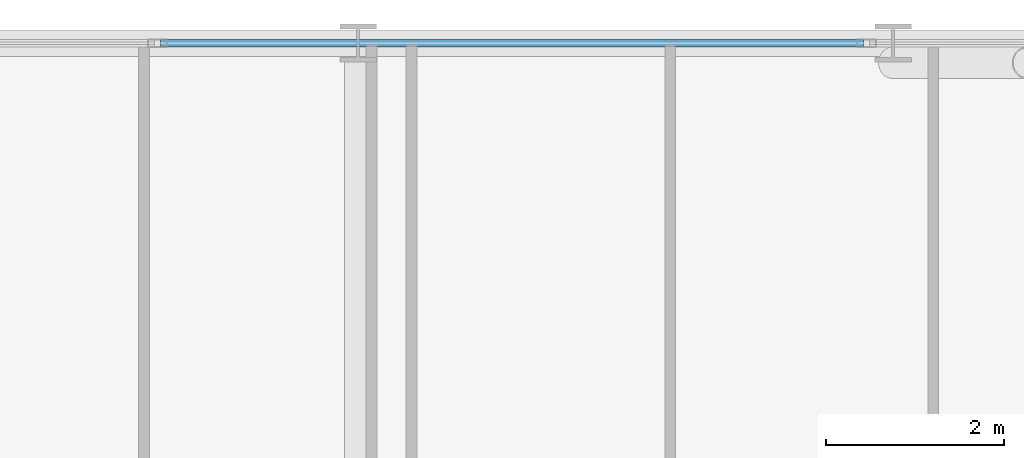
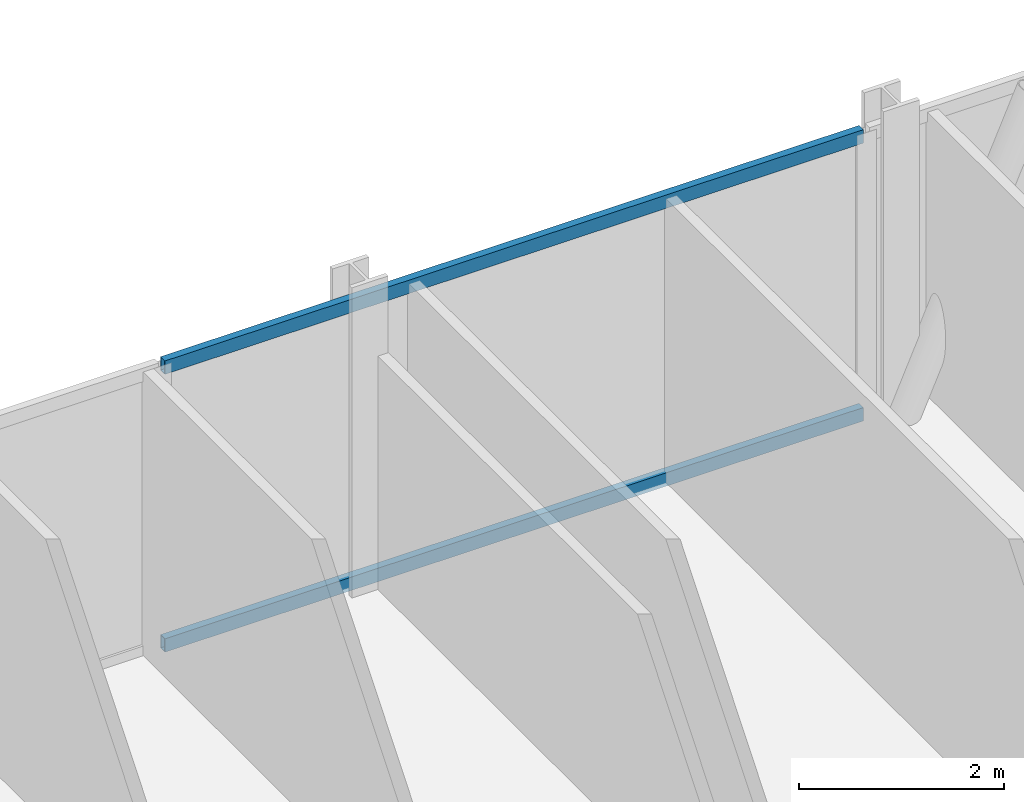
# One storey, part 14 of 34: 2 members, 1 element without a shape of its own.
"""IFC4 building model written with IfcOpenShell, lengths in metres."""

import ifcopenshell
import ifcopenshell.guid

model = None  # the IFC model being written
_history = None  # IfcOwnerHistory: only IFC2X3 demands one
_inside = {}  # id of a spatial element -> (the spatial element, [elements in it])
_under = {}  # id of a project, library or spatial element -> (it, [spatial elements below it])
_declared = {}  # id of a project -> (the project, [libraries it declares])
_typed = {}  # id of a type object -> (the type object, [elements of that type])
_made_of = {}  # id of a material, layer set ... -> (it, [elements and type objects made of it])


def new_model(schema):
    """Start an empty IFC model of exactly this schema.

    Asked for "IFC4X3", IfcOpenShell would pick the latest addendum, in which some entities
    have other attributes; the version numbers below select the first issue.
    IFC2X3 requires an IfcOwnerHistory on every rooted entity: one is made here for all.
    """
    global model, _history
    if schema == "IFC4X3":
        model = ifcopenshell.file(schema_version=(4, 3, 0, 0))
    else:
        model = ifcopenshell.file(schema=schema)
    _inside.clear()
    _under.clear()
    _declared.clear()
    _typed.clear()
    _made_of.clear()
    _history = None
    if model.schema == "IFC2X3":
        org = make("IfcOrganization", Name="unknown")
        user = make(
            "IfcPersonAndOrganization",
            ThePerson=make("IfcPerson", FamilyName="unknown"),
            TheOrganization=org,
        )
        app = make(
            "IfcApplication",
            ApplicationDeveloper=org,
            Version="unknown",
            ApplicationFullName="unknown",
            ApplicationIdentifier="unknown",
        )
        _history = make(
            "IfcOwnerHistory",
            OwningUser=user,
            OwningApplication=app,
            ChangeAction="ADDED",
            CreationDate=0,
        )
    return model


def make(cls, **values):
    """One entity of the class cls with the attributes given. An attribute that is None is left unset."""
    return model.create_entity(
        cls, **{name: value for name, value in values.items() if value is not None}
    )


def rooted(cls, **values):
    """An entity with a GlobalId (a new one), such as an element, a storey or a relation."""
    return make(cls, GlobalId=ifcopenshell.guid.new(), OwnerHistory=_history, **values)


def si_unit(unit_type, name, prefix=None):
    """IfcSIUnit, for example si_unit("LENGTHUNIT", "METRE", prefix="MILLI")."""
    return make("IfcSIUnit", UnitType=unit_type, Prefix=prefix, Name=name)


def assignment(units):
    """IfcUnitAssignment: the units of a project."""
    return None if units is None else make("IfcUnitAssignment", Units=units)


def point(xyz):
    """IfcCartesianPoint."""
    return None if xyz is None else make("IfcCartesianPoint", Coordinates=xyz)


def direction(xyz):
    """IfcDirection."""
    return None if xyz is None else make("IfcDirection", DirectionRatios=xyz)


def frame(location, z_axis=None, x_axis=None):
    """IfcAxis2Placement3D, a coordinate frame: its origin and axes. An axis left out is left unset."""
    return make(
        "IfcAxis2Placement3D",
        Location=point(location),
        Axis=direction(z_axis),
        RefDirection=direction(x_axis),
    )


def frame_2d(location, x_axis=None):
    """IfcAxis2Placement2D, a coordinate frame in the plane: its origin and x axis."""
    return make(
        "IfcAxis2Placement2D", Location=point(location), RefDirection=direction(x_axis)
    )


def origin():
    """The frame at (0, 0, 0) with its axes left unset."""
    return frame((0.0, 0.0, 0.0))


def origin_2d():
    """The frame at (0, 0) in the plane with its x axis left unset."""
    return frame_2d((0.0, 0.0))


def place(relative_to, where):
    """IfcLocalPlacement: puts the frame where relative to a parent placement (None: the world)."""
    return make(
        "IfcLocalPlacement", PlacementRelTo=relative_to, RelativePlacement=where
    )


def context(
    kind, dimensions, precision=None, world=None, true_north=None, identifier=None
):
    """IfcGeometricRepresentationContext, for example the 3D "Model" context."""
    return make(
        "IfcGeometricRepresentationContext",
        ContextIdentifier=identifier,
        ContextType=kind,
        CoordinateSpaceDimension=dimensions,
        Precision=precision,
        WorldCoordinateSystem=world,
        TrueNorth=true_north,
    )


def subcontext(parent, identifier, kind, view, scale=None):
    """IfcGeometricRepresentationSubContext, for example "Body" below "Model"."""
    return make(
        "IfcGeometricRepresentationSubContext",
        ContextIdentifier=identifier,
        ContextType=kind,
        ParentContext=parent,
        TargetScale=scale,
        TargetView=view,
    )


def project(units=None, contexts=None):
    """IfcProject with its units and contexts."""
    return rooted(
        "IfcProject",
        Name="project",
        RepresentationContexts=contexts,
        UnitsInContext=assignment(units),
    )


def spatial(cls, under=None, at=None, **own):
    """A site, building, storey or space (cls), placed at a placement, below another one or the project."""
    s = rooted(cls, ObjectPlacement=at, **own)
    if under is not None:
        _under.setdefault(under.id(), (under, []))[1].append(s)
    return s


def profile(cls, at=None, kind="AREA", **sizes):
    """A parametric profile (cls). Its sizes go by their IFC names, for example OverallWidth=200.0."""
    return make(cls, ProfileType=kind, Position=at, **sizes)


def hollow_rectangle(**sizes):
    """IfcRectangleHollowProfileDef."""
    return profile("IfcRectangleHollowProfileDef", **sizes)


def extrude(swept, where, along, depth):
    """IfcExtrudedAreaSolid: the profile swept, set in the frame where, extruded along a direction by depth."""
    return make(
        "IfcExtrudedAreaSolid",
        SweptArea=swept,
        Position=where,
        ExtrudedDirection=direction(along),
        Depth=depth,
    )


def shape(context_of_items, identifier, shape_type, items):
    """IfcShapeRepresentation: the items that make up one representation, for example the "Body"."""
    return make(
        "IfcShapeRepresentation",
        ContextOfItems=context_of_items,
        RepresentationIdentifier=identifier,
        RepresentationType=shape_type,
        Items=items,
    )


def material(Name=None, Category=None):
    """IfcMaterial."""
    return make("IfcMaterial", Name=Name, Category=Category)


def layer(
    of_material, thickness, ventilated=None, Name=None, Category=None, Priority=None
):
    """IfcMaterialLayer: one layer of a wall or slab, of a material (None: an air gap)."""
    return make(
        "IfcMaterialLayer",
        Material=of_material,
        LayerThickness=thickness,
        IsVentilated=ventilated,
        Name=Name,
        Category=Category,
        Priority=Priority,
    )


def layer_set(layers, Name=None):
    """IfcMaterialLayerSet."""
    return make("IfcMaterialLayerSet", MaterialLayers=layers, LayerSetName=Name)


def material_profile(
    of_material, cross_section, Name=None, Category=None, Priority=None
):
    """IfcMaterialProfile: a cross section and its material."""
    return make(
        "IfcMaterialProfile",
        Name=Name,
        Material=of_material,
        Profile=cross_section,
        Priority=Priority,
        Category=Category,
    )


def profile_set(profiles, Name=None, composite=None):
    """IfcMaterialProfileSet."""
    return make(
        "IfcMaterialProfileSet",
        Name=Name,
        MaterialProfiles=profiles,
        CompositeProfile=composite,
    )


def made_of(thing, what):
    """Note that an element or type object is made of a material, layer set ...; save() writes the relation."""
    if what is not None:
        _made_of.setdefault(what.id(), (what, []))[1].append(thing)
    return thing


def type_object(cls, material=None, **own):
    """A type object (cls), such as IfcWallType, which elements share."""
    return made_of(rooted(cls, **own), material)


def element(
    cls,
    number,
    at=None,
    inside=None,
    cuts=None,
    type_object=None,
    material=None,
    context=None,
    identifier="Body",
    shape_type=None,
    held_by="IfcProductDefinitionShape",
    body=None,
    shapes=None,
    **own,
):
    """One element of the class cls, such as IfcWall. Its Tag is "e" and its number.

    at: its placement. inside: the storey or other place that contains it. cuts: it is an
    opening in that element (IfcRelVoidsElement). A single representation is given by context,
    identifier, shape_type and body (its items); several are given by shapes. held_by: the class
    of the entity that holds the representations. save() writes the other relations.
    """
    e = rooted(cls, Tag="e%d" % number, ObjectPlacement=at, **own)
    if body is not None:
        shapes = [shape(context, identifier, shape_type, body)]
    if shapes is not None:
        e.Representation = make(held_by, Representations=shapes)
    if inside is not None:
        _inside.setdefault(inside.id(), (inside, []))[1].append(e)
    if cuts is not None:
        rooted(
            "IfcRelVoidsElement", RelatingBuildingElement=cuts, RelatedOpeningElement=e
        )
    if type_object is not None:
        _typed.setdefault(type_object.id(), (type_object, []))[1].append(e)
    return made_of(e, material)


def aggregate(whole, parts):
    """IfcRelAggregates: a whole, such as a stair, and the parts it consists of."""
    return rooted("IfcRelAggregates", RelatingObject=whole, RelatedObjects=parts)


def save(model, path):
    """Write the relations noted so far, then the file.

    IfcRelAggregates (storeys below a building ...), IfcRelContainedInSpatialStructure (elements
    in a storey), IfcRelDefinesByType, IfcRelAssociatesMaterial and IfcRelDeclares: one each for
    every whole, place, type object, material and project.
    """
    for whole, parts in _under.values():
        aggregate(whole, parts)
    for where, things in _inside.values():
        rooted(
            "IfcRelContainedInSpatialStructure",
            RelatedElements=things,
            RelatingStructure=where,
        )
    for kind, things in _typed.values():
        rooted("IfcRelDefinesByType", RelatedObjects=things, RelatingType=kind)
    for what, things in _made_of.values():
        rooted("IfcRelAssociatesMaterial", RelatedObjects=things, RelatingMaterial=what)
    for by, libraries in _declared.values():
        rooted("IfcRelDeclares", RelatingContext=by, RelatedDefinitions=libraries)
    model.write(path)


model = new_model("IFC4")

# Units and contexts
model_context = context("Model", 3, precision=1e-05, world=origin(), true_north=direction((0.0, 1.0)))
body_context = subcontext(model_context, "Body", "Model", "MODEL_VIEW")
ifc_project = project(units=[si_unit("LENGTHUNIT", "METRE"), si_unit("AREAUNIT", "SQUARE_METRE"), si_unit("VOLUMEUNIT", "CUBIC_METRE"), si_unit("PLANEANGLEUNIT", "RADIAN"), si_unit("MASSUNIT", "GRAM", prefix="KILO")], contexts=[model_context])

# Site, building, storey
site_placement = place(None, origin())
site = spatial("IfcSite", under=ifc_project, at=site_placement, CompositionType="ELEMENT")
building_placement = place(site_placement, origin())
building = spatial("IfcBuilding", under=site, at=building_placement, Name="Keshet Zoharim Tower", CompositionType="ELEMENT")
storey_placement = place(building_placement, frame((0.0, 0.0, 31.39990234375)))
storey = spatial("IfcBuildingStorey", under=building, at=storey_placement, Name="L06", CompositionType="ELEMENT", Elevation=31.39990234375)

# Curtain wall, members
ifc_material = material(Name="Aluminium 6063-T6", Category="aluminium")
ifc_layer = layer(ifc_material, 0.169921875)
ifc_layer_set = layer_set([ifc_layer], Name="Aluminium 6063-T6")
curtain_wall_type = type_object("IfcCurtainWallType", Name="CW-SYS-02", PredefinedType="NOTDEFINED", material=ifc_layer_set)
curtain_wall_placement = place(storey_placement, origin())
curtain_wall = element("IfcCurtainWall", 1, at=curtain_wall_placement, inside=storey, type_object=curtain_wall_type, Name="L06 Unitised Curtain Wall 07 Part 3", PredefinedType="NOTDEFINED")
ifc_material_profile = material_profile(ifc_material, hollow_rectangle(XDim=0.0849609375, YDim=0.159912109375, WallThickness=0.00439453125, at=origin_2d()), Name="TRN-85x160")
ifc_profile_set = profile_set([ifc_material_profile], Name="Aluminium 6063-T6")
member_type = type_object("IfcMemberType", Name="CWT-T16", PredefinedType="USERDEFINED", material=ifc_profile_set)
member_1_placement = place(storey_placement, frame((30.784912109375, 53.89990234375, 0.03515625), z_axis=(1.0, 0.0, 0.0), x_axis=(0.0, 1.0, 0.0)))
member_1 = element("IfcMember", 2, at=member_1_placement, type_object=member_type, Name="CW-02 transom 2.1", ObjectType="TRANSOM", PredefinedType="USERDEFINED", context=body_context, shape_type="SweptSolid", body=[
    extrude(hollow_rectangle(XDim=0.0849609375, YDim=0.159912109375, WallThickness=0.00439453125, at=origin_2d()), origin(), (0.0, 0.0, 1.0), 7.882568359375),
])
member_2_placement = place(storey_placement, frame((30.784912109375, 53.89990234375, 3.35009765625), z_axis=(1.0, 0.0, 0.0), x_axis=(0.0, 1.0, 0.0)))
member_2 = element("IfcMember", 3, at=member_2_placement, type_object=member_type, Name="CW-02 transom 2.2", ObjectType="TRANSOM", PredefinedType="USERDEFINED", context=body_context, shape_type="SweptSolid", body=[
    extrude(hollow_rectangle(XDim=0.0849609375, YDim=0.159912109375, WallThickness=0.00439453125, at=origin_2d()), origin(), (0.0, 0.0, 1.0), 7.882568359375),
])
aggregate(curtain_wall, [member_1, member_2])

save(model, "model.ifc")
